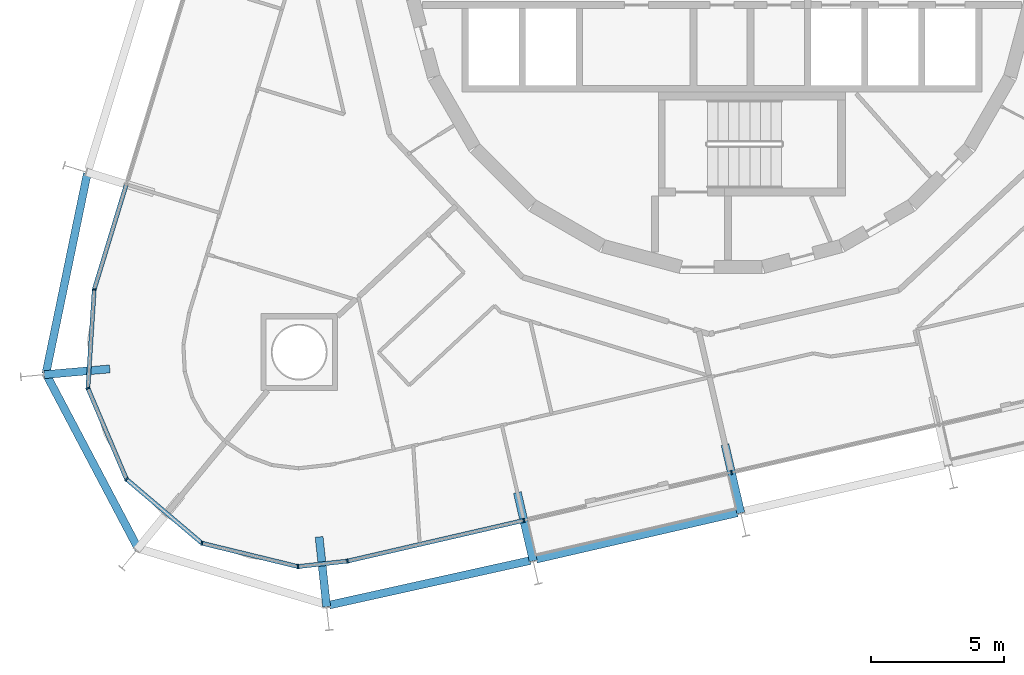
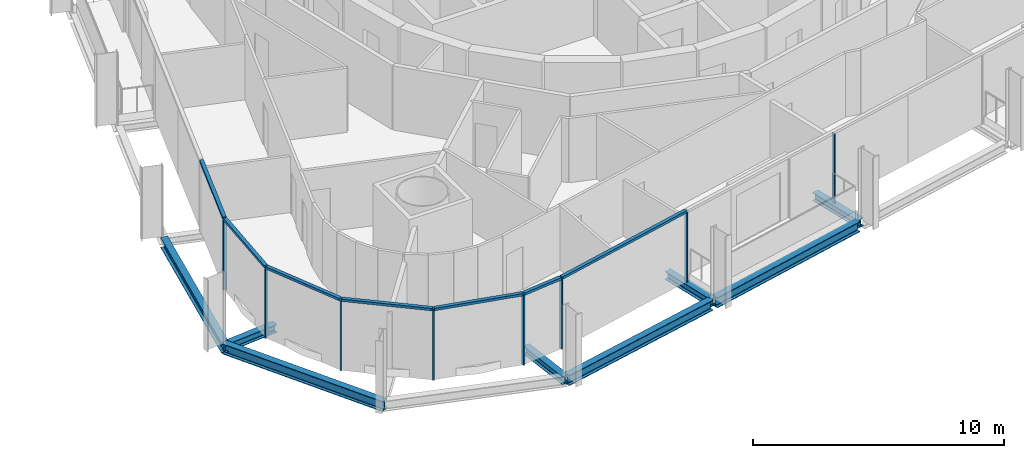
# One storey, part 3 of 18: 15 members, 8 beams, 2 elements without a shape of their own.
"""IFC4 building model written with IfcOpenShell, lengths in metres."""

from ifc_helpers import new_model, si_unit, direction, frame, origin, origin_2d, place, context, subcontext, project, spatial, rectangle, i_section, extrude, material, layer, layer_set, material_profile, profile_set, type_object, element, aggregate, save


model = new_model("IFC4")

# Units and contexts
model_context = context("Model", 3, precision=1e-05, world=origin(), true_north=direction((0.0, 1.0)))
body_context = subcontext(model_context, "Body", "Model", "MODEL_VIEW")
ifc_project = project(units=[si_unit("LENGTHUNIT", "METRE"), si_unit("AREAUNIT", "SQUARE_METRE"), si_unit("VOLUMEUNIT", "CUBIC_METRE"), si_unit("PLANEANGLEUNIT", "RADIAN"), si_unit("MASSUNIT", "GRAM", prefix="KILO")], contexts=[model_context])

# Site, building, storey
site_placement = place(None, origin())
site = spatial("IfcSite", under=ifc_project, at=site_placement, CompositionType="ELEMENT")
building_placement = place(site_placement, origin())
building = spatial("IfcBuilding", under=site, at=building_placement, Name="Spindle Arch Residences", CompositionType="ELEMENT")
storey_placement = place(building_placement, frame((0.0, 0.0, 120.39990234375)))
storey = spatial("IfcBuildingStorey", under=building, at=storey_placement, Name="L29", CompositionType="ELEMENT", Elevation=120.39990234375)

# Curtain wall, members
ifc_material_1 = material(Name="Aluminium bronze unitised frame with tinted glass", Category="aluminium")
ifc_layer_1 = layer(ifc_material_1, 0.159912109375)
ifc_layer_set_1 = layer_set([ifc_layer_1], Name="CW-D corner wall on the fillet arcs")
curtain_wall_type_1 = type_object("IfcCurtainWallType", Name="CW-D corner wall on the fillet arcs", PredefinedType="NOTDEFINED", material=ifc_layer_set_1)
curtain_wall_1_placement = place(storey_placement, origin())
curtain_wall_1 = element("IfcCurtainWall", 1, at=curtain_wall_1_placement, inside=storey, type_object=curtain_wall_type_1, Name="CW-D L29 run 5", PredefinedType="NOTDEFINED")
ifc_material_2 = material(Name="Aluminium bronze anodised mullion", Category="aluminium")
ifc_material_profile_1 = material_profile(ifc_material_2, rectangle(XDim=0.159912109375, YDim=0.06005859375, at=origin_2d()), Name="MU 60x160")
ifc_profile_set_1 = profile_set([ifc_material_profile_1], Name="Aluminium bronze anodised mullion")
member_type_1 = type_object("IfcMemberType", Name="Bronze mullion 60x160", PredefinedType="MULLION", material=ifc_profile_set_1)
member_1_placement = place(storey_placement, frame((-23.6572265625, -12.49267578125, -0.3798828125), z_axis=(0.0, 0.0, 1.0), x_axis=(0.997952993046, -0.063951729226, 0.0)))
member_1 = element("IfcMember", 2, at=member_1_placement, type_object=member_type_1, Name="CW-D mullion 01", PredefinedType="MULLION", context=body_context, shape_type="SweptSolid", body=[
    extrude(rectangle(XDim=0.159912109375, YDim=0.06005859375, at=origin_2d()), origin(), (0.0, 0.0, 1.0), 3.3798828125),
])
member_2_placement = place(storey_placement, frame((-23.8955078125, -16.2119140625, -0.3798828125), z_axis=(0.0, 0.0, 1.0), x_axis=(0.920504854032, 0.390731127124, 0.0)))
member_2 = element("IfcMember", 3, at=member_2_placement, type_object=member_type_1, Name="CW-D mullion 02", PredefinedType="MULLION", context=body_context, shape_type="SweptSolid", body=[
    extrude(rectangle(XDim=0.159912109375, YDim=0.06005859375, at=origin_2d()), origin(), (0.0, 0.0, 1.0), 3.3798828125),
])
member_3_placement = place(storey_placement, frame((-22.439208984375, -19.642333984375, -0.3798828125), z_axis=(0.0, 0.0, 1.0), x_axis=(0.647233374321, 0.762291912042, 0.0)))
member_3 = element("IfcMember", 4, at=member_3_placement, type_object=member_type_1, Name="CW-D mullion 03", PredefinedType="MULLION", context=body_context, shape_type="SweptSolid", body=[
    extrude(rectangle(XDim=0.159912109375, YDim=0.06005859375, at=origin_2d()), origin(), (0.0, 0.0, 1.0), 3.3798828125),
])
member_4_placement = place(storey_placement, frame((-19.598388671875, -22.054443359375, -0.3798828125), z_axis=(0.0, 0.0, 1.0), x_axis=(0.23627288281, 0.971686742139, 0.0)))
member_4 = element("IfcMember", 5, at=member_4_placement, type_object=member_type_1, Name="CW-D mullion 04", PredefinedType="MULLION", context=body_context, shape_type="SweptSolid", body=[
    extrude(rectangle(XDim=0.159912109375, YDim=0.06005859375, at=origin_2d()), origin(), (0.0, 0.0, 1.0), 3.3798828125),
])
member_5_placement = place(storey_placement, frame((-15.977294921875, -22.93505859375, -0.3798828125), z_axis=(0.0, 0.0, 1.0), x_axis=(-0.110312554381, 0.993896946542, 0.0)))
member_5 = element("IfcMember", 6, at=member_5_placement, type_object=member_type_1, Name="CW-D mullion 05", PredefinedType="MULLION", context=body_context, shape_type="SweptSolid", body=[
    extrude(rectangle(XDim=0.159912109375, YDim=0.06005859375, at=origin_2d()), origin(), (0.0, 0.0, 1.0), 3.3798828125),
])
member_6_placement = place(storey_placement, frame((-14.112548828125, -22.72802734375, -0.3798828125), z_axis=(0.0, 0.0, 1.0), x_axis=(-0.224951054344, 0.974370064785, 0.0)))
member_6 = element("IfcMember", 7, at=member_6_placement, type_object=member_type_1, Name="CW-D mullion 06", PredefinedType="MULLION", context=body_context, shape_type="SweptSolid", body=[
    extrude(rectangle(XDim=0.159912109375, YDim=0.06005859375, at=origin_2d()), origin(), (0.0, 0.0, 1.0), 3.3798828125),
])

ifc_material_3 = material(Name="Aluminium bronze unitised frame with tinted glass", Category="aluminium")
ifc_layer_2 = layer(ifc_material_3, 0.159912109375)
ifc_layer_set_2 = layer_set([ifc_layer_2], Name="CW-C typical residential unitised wall")
curtain_wall_type_2 = type_object("IfcCurtainWallType", Name="CW-C typical residential unitised wall", PredefinedType="NOTDEFINED", material=ifc_layer_set_2)
curtain_wall_2_placement = place(storey_placement, origin())
curtain_wall_2 = element("IfcCurtainWall", 8, at=curtain_wall_2_placement, inside=storey, type_object=curtain_wall_type_2, Name="CW-C L29 run 6", PredefinedType="NOTDEFINED")
member_7_placement = place(storey_placement, frame((-7.467529296875, -21.19384765625, -0.3798828125), z_axis=(0.0, 0.0, 1.0), x_axis=(-0.224951054344, 0.974370064785, 0.0)))
member_7 = element("IfcMember", 9, at=member_7_placement, type_object=member_type_1, Name="CW-C mullion 20", PredefinedType="MULLION", context=body_context, shape_type="SweptSolid", body=[
    extrude(rectangle(XDim=0.159912109375, YDim=0.06005859375, at=origin_2d()), origin(), (0.0, 0.0, 1.0), 3.3798828125),
])
member_8_placement = place(storey_placement, frame((0.355712890625, -19.3876953125, -0.3798828125), z_axis=(0.0, 0.0, 1.0), x_axis=(-0.224951054344, 0.974370064785, 0.0)))
member_8 = element("IfcMember", 10, at=member_8_placement, type_object=member_type_1, Name="CW-C mullion 21", PredefinedType="MULLION", context=body_context, shape_type="SweptSolid", body=[
    extrude(rectangle(XDim=0.159912109375, YDim=0.06005859375, at=origin_2d()), origin(), (0.0, 0.0, 1.0), 3.3798828125),
])
aggregate(curtain_wall_2, [member_7, member_8])

# Member
ifc_material_4 = material(Name="Aluminium bronze anodised transom", Category="aluminium")
ifc_material_profile_2 = material_profile(ifc_material_4, rectangle(XDim=0.159912109375, YDim=0.1201171875, at=origin_2d()), Name="TR 120x160")
ifc_profile_set_2 = profile_set([ifc_material_profile_2], Name="Aluminium bronze anodised transom")
member_type_2 = type_object("IfcMemberType", Name="Bronze transom 120x160", PredefinedType="USERDEFINED", material=ifc_profile_set_2)
member_9_placement = place(storey_placement, frame((-22.45458984375, -8.55908203125, 3.06005859375), z_axis=(-0.292362833345, -0.95630746817, 0.0), x_axis=(0.95630746817, -0.292362833345, 0.0)))
member_9 = element("IfcMember", 11, at=member_9_placement, type_object=member_type_2, Name="CW-D transom 00", ObjectType="TRANSOM", PredefinedType="USERDEFINED", context=body_context, shape_type="SweptSolid", body=[
    extrude(rectangle(XDim=0.159912109375, YDim=0.1201171875, at=origin_2d()), origin(), (0.0, 0.0, 1.0), 4.08349609375),
])

member_10_placement = place(storey_placement, frame((-23.6591796875, -12.522705078125, 3.06005859375), z_axis=(-0.063920256807, -0.997955009392, 0.0), x_axis=(0.997955009392, -0.063920256807, 0.0)))
member_10 = element("IfcMember", 12, at=member_10_placement, type_object=member_type_2, Name="CW-D transom 01", ObjectType="TRANSOM", PredefinedType="USERDEFINED", context=body_context, shape_type="SweptSolid", body=[
    extrude(rectangle(XDim=0.159912109375, YDim=0.1201171875, at=origin_2d()), origin(), (0.0, 0.0, 1.0), 3.666748046875),
])

member_11_placement = place(storey_placement, frame((-23.8837890625, -16.239501953125, 3.06005859375), z_axis=(0.39076699022, -0.920489630226, 0.0), x_axis=(0.920489630226, 0.39076699022, 0.0)))
member_11 = element("IfcMember", 13, at=member_11_placement, type_object=member_type_2, Name="CW-D transom 02", ObjectType="TRANSOM", PredefinedType="USERDEFINED", context=body_context, shape_type="SweptSolid", body=[
    extrude(rectangle(XDim=0.159912109375, YDim=0.1201171875, at=origin_2d()), origin(), (0.0, 0.0, 1.0), 3.666748046875),
])

member_12_placement = place(storey_placement, frame((-22.41650390625, -19.661865234375, 3.06005859375), z_axis=(0.762289120673, -0.647236661897, 0.0), x_axis=(0.647236661897, 0.762289120673, 0.0)))
member_12 = element("IfcMember", 14, at=member_12_placement, type_object=member_type_2, Name="CW-D transom 03", ObjectType="TRANSOM", PredefinedType="USERDEFINED", context=body_context, shape_type="SweptSolid", body=[
    extrude(rectangle(XDim=0.159912109375, YDim=0.1201171875, at=origin_2d()), origin(), (0.0, 0.0, 1.0), 3.666748046875),
])

member_13_placement = place(storey_placement, frame((-19.5693359375, -22.0615234375, 3.06005859375), z_axis=(0.971681239144, -0.236295513068, 0.0), x_axis=(0.236295513068, 0.971681239144, 0.0)))
member_13 = element("IfcMember", 15, at=member_13_placement, type_object=member_type_2, Name="CW-D transom 04", ObjectType="TRANSOM", PredefinedType="USERDEFINED", context=body_context, shape_type="SweptSolid", body=[
    extrude(rectangle(XDim=0.159912109375, YDim=0.1201171875, at=origin_2d()), origin(), (0.0, 0.0, 1.0), 3.666748046875),
])

member_14_placement = place(storey_placement, frame((-15.947509765625, -22.931640625, 3.06005859375), z_axis=(0.993906663087, 0.110224974808, 0.0), x_axis=(-0.110224974808, 0.993906663087, 0.0)))
member_14 = element("IfcMember", 16, at=member_14_placement, type_object=member_type_2, Name="CW-D transom 05", ObjectType="TRANSOM", PredefinedType="USERDEFINED", context=body_context, shape_type="SweptSolid", body=[
    extrude(rectangle(XDim=0.159912109375, YDim=0.1201171875, at=origin_2d()), origin(), (0.0, 0.0, 1.0), 1.816162109375),
])

member_15_placement = place(storey_placement, frame((-14.083251953125, -22.721435546875, 3.06005859375), z_axis=(0.974365014398, 0.224972928856, 0.0), x_axis=(-0.224972928856, 0.974365014398, 0.0)))
member_15 = element("IfcMember", 17, at=member_15_placement, type_object=member_type_2, Name="CW-D transom 06", ObjectType="TRANSOM", PredefinedType="USERDEFINED", context=body_context, shape_type="SweptSolid", body=[
    extrude(rectangle(XDim=0.159912109375, YDim=0.1201171875, at=origin_2d()), origin(), (0.0, 0.0, 1.0), 6.759765625),
])

aggregate(curtain_wall_1, [member_9, member_1, member_10, member_2, member_11, member_3, member_12, member_4, member_13, member_5, member_14, member_6, member_15])

# Beams
ifc_material_5 = material(Name="Steel S460ML, intumescent coating R 120", Category="steel")
ifc_material_profile_3 = material_profile(ifc_material_5, i_section(OverallWidth=0.300048828125, OverallDepth=0.5, WebThickness=0.014404296875, FlangeThickness=0.028076171875, FilletRadius=0.027099609375, at=origin_2d()), Name="HEB 500")
ifc_profile_set_3 = profile_set([ifc_material_profile_3], Name="Steel S460ML, intumescent coating R 120")
beam_type_1 = type_object("IfcBeamType", Name="Exoskeleton edge beam HEB 500", PredefinedType="BEAM", material=ifc_profile_set_3)
beam_1_placement = place(storey_placement, frame((-23.91650390625, -8.1181640625, -0.6298828125), z_axis=(-0.202483065161, -0.979285764383, 0.0), x_axis=(0.979285764383, -0.202483065161, 0.0)))
element("IfcBeam", 18, at=beam_1_placement, inside=storey, type_object=beam_type_1, Name="Exoskeleton edge beam 17", PredefinedType="BEAM", context=body_context, shape_type="SweptSolid", body=[
    extrude(i_section(OverallWidth=0.300048828125, OverallDepth=0.5, WebThickness=0.014404296875, FlangeThickness=0.028076171875, FilletRadius=0.027099609375, at=origin_2d()), origin(), (0.0, 0.0, 1.0), 7.708251953125),
])
beam_2_placement = place(storey_placement, frame((-25.4970703125, -15.62939453125, -0.6298828125), z_axis=(0.466652663296, -0.884440666093, 0.0), x_axis=(0.884440666093, 0.466652663296, 0.0)))
element("IfcBeam", 19, at=beam_2_placement, inside=storey, type_object=beam_type_1, Name="Exoskeleton edge beam 18", PredefinedType="BEAM", context=body_context, shape_type="SweptSolid", body=[
    extrude(i_section(OverallWidth=0.300048828125, OverallDepth=0.5, WebThickness=0.014404296875, FlangeThickness=0.028076171875, FilletRadius=0.027099609375, at=origin_2d()), origin(), (0.0, 0.0, 1.0), 7.559326171875),
])
beam_3_placement = place(storey_placement, frame((-14.804443359375, -24.385986328125, -0.6298828125), z_axis=(0.97635466486, 0.216174856093, 0.0), x_axis=(-0.216174856093, 0.97635466486, 0.0)))
element("IfcBeam", 20, at=beam_3_placement, inside=storey, type_object=beam_type_1, Name="Exoskeleton edge beam 20", PredefinedType="BEAM", context=body_context, shape_type="SweptSolid", body=[
    extrude(i_section(OverallWidth=0.300048828125, OverallDepth=0.5, WebThickness=0.014404296875, FlangeThickness=0.028076171875, FilletRadius=0.027099609375, at=origin_2d()), origin(), (0.0, 0.0, 1.0), 7.7666015625),
])
beam_4_placement = place(storey_placement, frame((-6.99658203125, -22.655517578125, -0.6298828125), z_axis=(0.974365237053, 0.224971964525, 0.0), x_axis=(-0.224971964525, 0.974365237053, 0.0)))
element("IfcBeam", 21, at=beam_4_placement, inside=storey, type_object=beam_type_1, Name="Exoskeleton edge beam 21", PredefinedType="BEAM", context=body_context, shape_type="SweptSolid", body=[
    extrude(i_section(OverallWidth=0.300048828125, OverallDepth=0.5, WebThickness=0.014404296875, FlangeThickness=0.028076171875, FilletRadius=0.027099609375, at=origin_2d()), origin(), (0.0, 0.0, 1.0), 7.76904296875),
])
ifc_material_6 = material(Name="Steel S460ML, intumescent coating R 120", Category="steel")
ifc_material_profile_4 = material_profile(ifc_material_6, i_section(OverallWidth=0.300048828125, OverallDepth=0.389892578125, WebThickness=0.010986328125, FlangeThickness=0.01904296875, FilletRadius=0.027099609375, at=origin_2d()), Name="HEA 400")
ifc_profile_set_4 = profile_set([ifc_material_profile_4], Name="Steel S460ML, intumescent coating R 120")
beam_type_2 = type_object("IfcBeamType", Name="Floor outrigger HEA 400", PredefinedType="BEAM", material=ifc_profile_set_4)
beam_5_placement = place(storey_placement, frame((-25.542724609375, -15.703369140625, -0.574951171875), z_axis=(0.996132127572, 0.087867994282, 0.0), x_axis=(-0.087867994282, 0.996132127572, 0.0)))
element("IfcBeam", 22, at=beam_5_placement, inside=storey, type_object=beam_type_2, Name="Floor outrigger 18", PredefinedType="BEAM", context=body_context, shape_type="SweptSolid", body=[
    extrude(i_section(OverallWidth=0.300048828125, OverallDepth=0.389892578125, WebThickness=0.010986328125, FlangeThickness=0.01904296875, FilletRadius=0.027099609375, at=origin_2d()), origin(), (0.0, 0.0, 1.0), 2.48388671875),
])
for number, where, z_axis, x_axis, name in (
    (23, (-14.898193359375, -24.44970703125, -0.574951171875), (-0.106962509845, 0.994263054472, 0.0), (-0.994263054472, -0.106962509845, 0.0), "Floor outrigger 20"),
    (24, (-7.1142578125, -22.7236328125, -0.574951171875), (-0.224980619228, 0.974363238721, 0.0), (-0.974363238721, -0.224980619228, 0.0), "Floor outrigger 21"),
    (25, (0.708984375, -20.91748046875, -0.574951171875), (-0.224980619228, 0.974363238721, 0.0), (-0.974363238721, -0.224980619228, 0.0), "Floor outrigger 22"),
):
    element("IfcBeam", number, at=place(storey_placement, frame(where, z_axis=z_axis, x_axis=x_axis)), inside=storey, type_object=beam_type_2, Name=name, PredefinedType="BEAM", context=body_context, shape_type="SweptSolid", body=[
        extrude(i_section(OverallWidth=0.300048828125, OverallDepth=0.389892578125, WebThickness=0.010986328125, FlangeThickness=0.01904296875, FilletRadius=0.027099609375, at=origin_2d()), origin(), (0.0, 0.0, 1.0), 2.64990234375),
    ])

save(model, "model.ifc")
